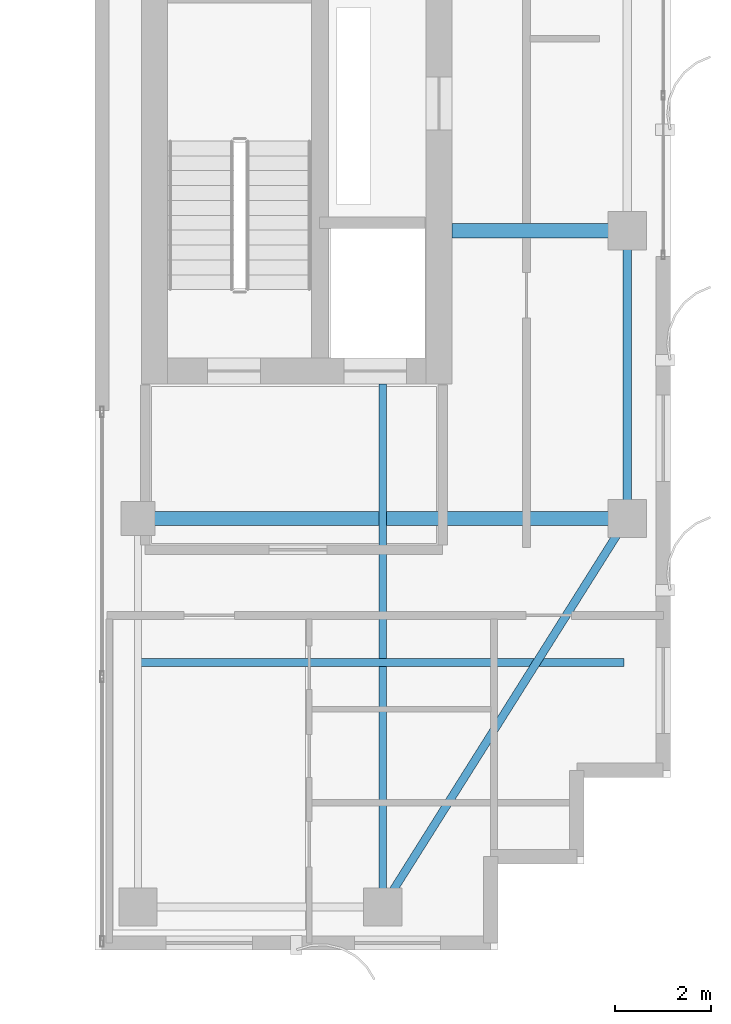
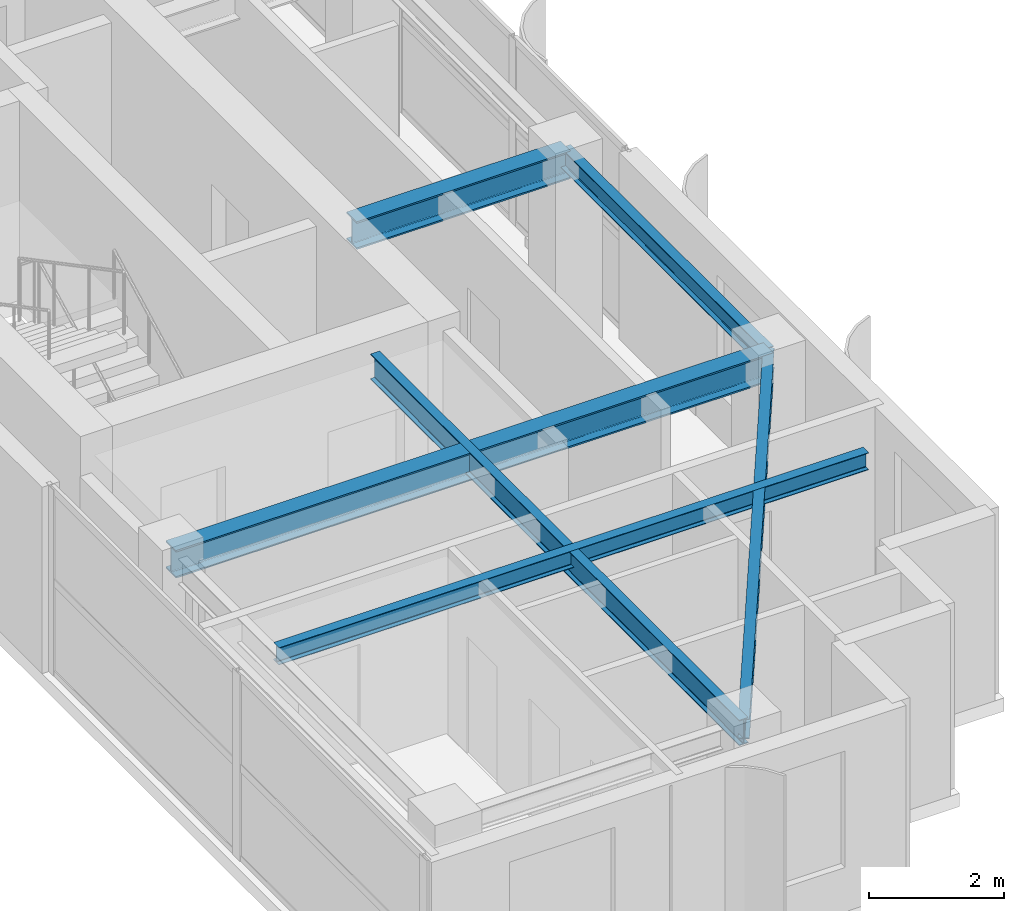
# One storey, part 11 of 24: 6 beams.
"""IFC4 building model written with IfcOpenShell, lengths in metres."""

from ifc_helpers import new_model, si_unit, direction, frame, origin, origin_2d, place, context, subcontext, project, spatial, i_section, extrude, source, transform, mapped, material, material_profile, profile_set, type_object, element, save


model = new_model("IFC4")

# Units and contexts
model_context = context("Model", 3, precision=1e-05, world=origin(), true_north=direction((0.0, 1.0)))
body_context = subcontext(model_context, "Body", "Model", "MODEL_VIEW")
ifc_project = project(units=[si_unit("LENGTHUNIT", "METRE"), si_unit("AREAUNIT", "SQUARE_METRE"), si_unit("VOLUMEUNIT", "CUBIC_METRE"), si_unit("PLANEANGLEUNIT", "RADIAN"), si_unit("MASSUNIT", "GRAM", prefix="KILO")], contexts=[model_context])

# Site, building, storey
site_placement = place(None, origin())
site = spatial("IfcSite", under=ifc_project, at=site_placement, CompositionType="ELEMENT")
building_placement = place(site_placement, origin())
building = spatial("IfcBuilding", under=site, at=building_placement, Name="Khoralis Quay Care Tower", CompositionType="ELEMENT")
storey_placement = place(building_placement, frame((0.0, 0.0, 238.5)))
storey = spatial("IfcBuildingStorey", under=building, at=storey_placement, Name="L62", CompositionType="ELEMENT", Elevation=238.5)

# Beams
ifc_material = material(Name="Steel S355", Category="steel")
ifc_material_profile_1 = material_profile(ifc_material, i_section(OverallWidth=0.169921875, OverallDepth=0.360107421875, WebThickness=0.008056640625, FlangeThickness=0.0126953125, FilletRadius=0.01806640625, at=origin_2d()), Name="Steel S355")
ifc_profile_set_1 = profile_set([ifc_material_profile_1], Name="Steel S355")
beam_type_1 = type_object("IfcBeamType", Name="BM-IPE360", PredefinedType="SPANDREL", material=ifc_profile_set_1)
shared_shape_1 = source(origin(), body_context, "Body", "SweptSolid", [
    extrude(i_section(OverallWidth=0.169921875, OverallDepth=0.360107421875, WebThickness=0.008056640625, FlangeThickness=0.0126953125, FilletRadius=0.01806640625, at=origin_2d()), origin(), (0.0, 0.0, 1.0), 6.0),
])
beam_1_placement = place(storey_placement, frame((41.10009765625, 12.0, 3.179931640625), z_axis=(0.0, 1.0, 0.0), x_axis=(-1.0, 0.0, 0.0)))
element("IfcBeam", 1, at=beam_1_placement, inside=storey, type_object=beam_type_1, Name="BM-TSP-L62-09", PredefinedType="SPANDREL", context=body_context, shape_type="MappedRepresentation", body=[
    mapped(shared_shape_1, transform((0.0, 0.0, 0.0), scale=1.0)),
])
shared_shape_2 = source(origin(), body_context, "Body", "SweptSolid", [
    extrude(i_section(OverallWidth=0.169921875, OverallDepth=0.360107421875, WebThickness=0.008056640625, FlangeThickness=0.0126953125, FilletRadius=0.01806640625, at=origin_2d()), origin(), (0.0, 0.0, 1.0), 9.572021484375),
])
beam_2_placement = place(storey_placement, frame((36.0, 3.89990234375, 3.179931640625), z_axis=(0.532815975602, 0.846231136359, 0.0), x_axis=(-0.846231136359, 0.532815975602, 0.0)))
element("IfcBeam", 2, at=beam_2_placement, inside=storey, type_object=beam_type_1, Name="BM-TCR-L62-14", PredefinedType="SPANDREL", context=body_context, shape_type="MappedRepresentation", body=[
    mapped(shared_shape_2, transform((0.0, 0.0, 0.0), scale=1.0)),
])
ifc_material_profile_2 = material_profile(ifc_material, i_section(OverallWidth=0.300048828125, OverallDepth=0.5, WebThickness=0.014404296875, FlangeThickness=0.028076171875, FilletRadius=0.027099609375, at=origin_2d()), Name="Steel S355")
ifc_profile_set_2 = profile_set([ifc_material_profile_2], Name="Steel S355")
beam_type_2 = type_object("IfcBeamType", Name="BM-HEB500", PredefinedType="BEAM", material=ifc_profile_set_2)
shared_shape_3 = source(origin(), body_context, "Body", "SweptSolid", [
    extrude(i_section(OverallWidth=0.300048828125, OverallDepth=0.5, WebThickness=0.014404296875, FlangeThickness=0.028076171875, FilletRadius=0.027099609375, at=origin_2d()), origin(), (0.0, 0.0, 1.0), 10.2001953125),
])
beam_3_placement = place(storey_placement, frame((30.89990234375, 12.0, 3.110107421875), z_axis=(1.0, 0.0, 0.0), x_axis=(0.0, 1.0, 0.0)))
element("IfcBeam", 3, at=beam_3_placement, inside=storey, type_object=beam_type_2, Name="BM-TGXE-L62-120", PredefinedType="BEAM", context=body_context, shape_type="MappedRepresentation", body=[
    mapped(shared_shape_3, transform((0.0, 0.0, 0.0), scale=1.0)),
])
shared_shape_4 = source(origin(), body_context, "Body", "SweptSolid", [
    extrude(i_section(OverallWidth=0.300048828125, OverallDepth=0.5, WebThickness=0.014404296875, FlangeThickness=0.028076171875, FilletRadius=0.027099609375, at=origin_2d()), origin(), (0.0, 0.0, 1.0), 3.652099609375),
])
beam_4_placement = place(storey_placement, frame((37.447998046875, 18.0, 3.110107421875), z_axis=(1.0, 0.0, 0.0), x_axis=(0.0, 1.0, 0.0)))
element("IfcBeam", 4, at=beam_4_placement, inside=storey, type_object=beam_type_2, Name="BM-TGXE-L62-180", PredefinedType="BEAM", context=body_context, shape_type="MappedRepresentation", body=[
    mapped(shared_shape_4, transform((0.0, 0.0, 0.0), scale=1.0)),
])
ifc_material_profile_3 = material_profile(ifc_material, i_section(OverallWidth=0.154052734375, OverallDepth=0.458984375, WebThickness=0.009033203125, FlangeThickness=0.015380859375, FilletRadius=0.014892578125, at=origin_2d()), Name="Steel S355")
ifc_profile_set_3 = profile_set([ifc_material_profile_3], Name="Steel S355")
beam_type_3 = type_object("IfcBeamType", Name="BM-W460X68", PredefinedType="BEAM", material=ifc_profile_set_3)
shared_shape_5 = source(origin(), body_context, "Body", "SweptSolid", [
    extrude(i_section(OverallWidth=0.154052734375, OverallDepth=0.458984375, WebThickness=0.009033203125, FlangeThickness=0.015380859375, FilletRadius=0.014892578125, at=origin_2d()), origin(), (0.0, 0.0, 1.0), 10.902099609375),
])
beam_5_placement = place(storey_placement, frame((36.0, 3.89990234375, 3.130615234375), z_axis=(0.0, 1.0, 0.0), x_axis=(-1.0, 0.0, 0.0)))
element("IfcBeam", 5, at=beam_5_placement, inside=storey, type_object=beam_type_3, Name="BM-TGYS-L62-360", PredefinedType="BEAM", context=body_context, shape_type="MappedRepresentation", body=[
    mapped(shared_shape_5, transform((0.0, 0.0, 0.0), scale=1.0)),
])
ifc_material_profile_4 = material_profile(ifc_material, i_section(OverallWidth=0.1650390625, OverallDepth=0.31005859375, WebThickness=0.005859375, FlangeThickness=0.009765625, FilletRadius=0.011962890625, at=origin_2d()), Name="Steel S355")
ifc_profile_set_4 = profile_set([ifc_material_profile_4], Name="Steel S355")
beam_type_4 = type_object("IfcBeamType", Name="BM-W310X39", PredefinedType="JOIST", material=ifc_profile_set_4)
shared_shape_6 = source(origin(), body_context, "Body", "SweptSolid", [
    extrude(i_section(OverallWidth=0.1650390625, OverallDepth=0.31005859375, WebThickness=0.005859375, FlangeThickness=0.009765625, FilletRadius=0.011962890625, at=origin_2d()), origin(), (0.0, 0.0, 1.0), 10.06396484375),
])
beam_6_placement = place(storey_placement, frame((30.965087890625, 9.0, 3.205078125), z_axis=(1.0, 0.0, 0.0), x_axis=(0.0, 1.0, 0.0)))
element("IfcBeam", 6, at=beam_6_placement, inside=storey, type_object=beam_type_4, Name="BM-TJS-L62-18", PredefinedType="JOIST", context=body_context, shape_type="MappedRepresentation", body=[
    mapped(shared_shape_6, transform((0.0, 0.0, 0.0), scale=1.0)),
])

save(model, "model.ifc")
